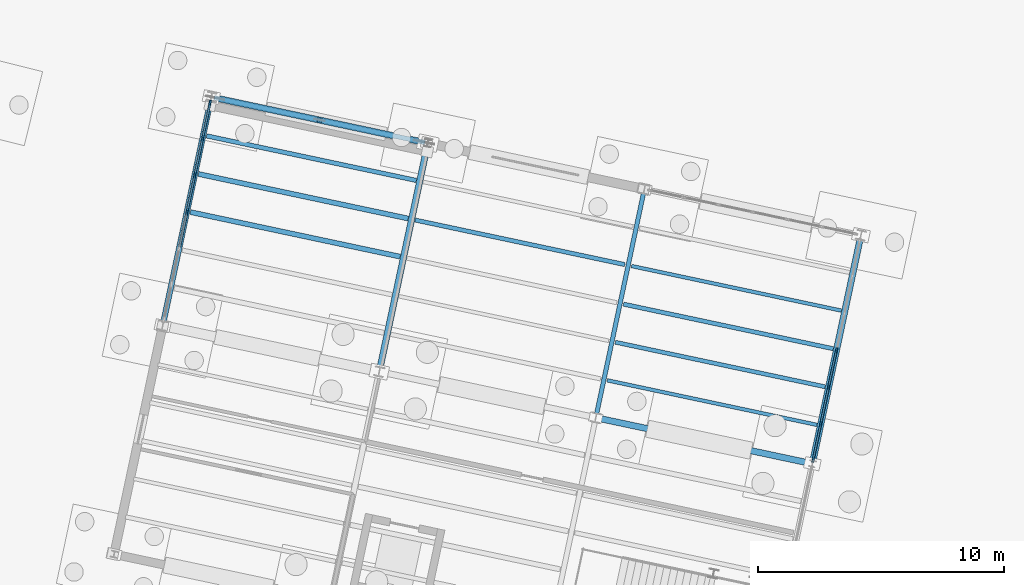
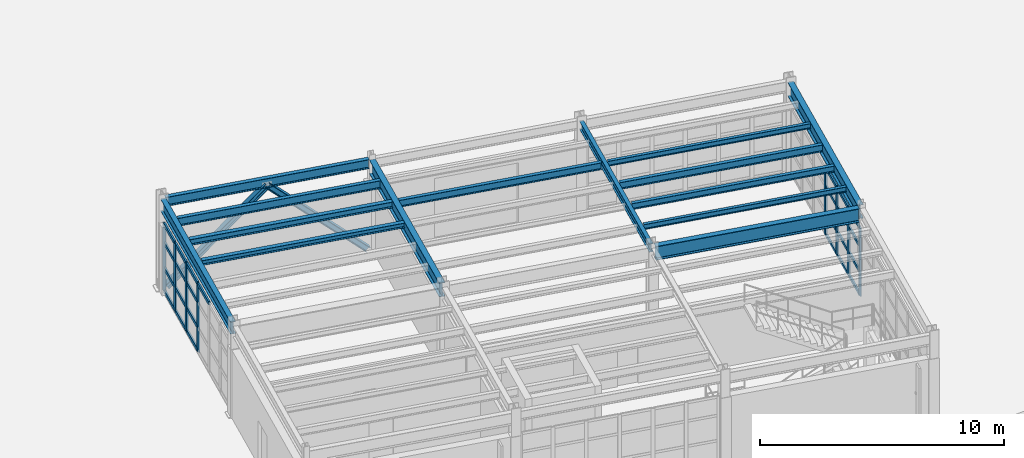
# One storey, part 55 of 108: 35 members, 14 beams, 2 elements without a shape of their own.
"""IFC4 building model written with IfcOpenShell, lengths in metres."""

from ifc_helpers import new_model, si_unit, direction, frame, origin, origin_2d, place, context, subcontext, project, spatial, rectangle, i_section, extrude, material, layer, layer_set, material_profile, profile_set, type_object, element, aggregate, save


model = new_model("IFC4")

# Units and contexts
model_context = context("Model", 3, precision=1e-05, world=origin(), true_north=direction((0.0, 1.0)))
body_context = subcontext(model_context, "Body", "Model", "MODEL_VIEW")
ifc_project = project(units=[si_unit("LENGTHUNIT", "METRE"), si_unit("AREAUNIT", "SQUARE_METRE"), si_unit("VOLUMEUNIT", "CUBIC_METRE"), si_unit("PLANEANGLEUNIT", "RADIAN"), si_unit("MASSUNIT", "GRAM", prefix="KILO")], contexts=[model_context])

# Site, building, storey
site_placement = place(None, origin())
site = spatial("IfcSite", under=ifc_project, at=site_placement, CompositionType="ELEMENT")
building_placement = place(site_placement, origin())
building = spatial("IfcBuilding", under=site, at=building_placement, Name="Vireo Bluff Cable Station", CompositionType="ELEMENT")
storey_placement = place(building_placement, origin())
storey = spatial("IfcBuildingStorey", under=building, at=storey_placement, Name="L00", CompositionType="ELEMENT", Elevation=0.0)

# Beam
ifc_material_1 = material(Name="Steel ASTM A992 Gr. 50", Category="steel")
ifc_material_profile_1 = material_profile(ifc_material_1, i_section(OverallWidth=0.178955078125, OverallDepth=0.408935546875, WebThickness=0.0087890625, FlangeThickness=0.014404296875, FilletRadius=0.010009765625, at=origin_2d()), Name="W16X45")
ifc_profile_set_1 = profile_set([ifc_material_profile_1], Name="Steel ASTM A992 Gr. 50")
beam_type_1 = type_object("IfcBeamType", Name="BM-W16X45", PredefinedType="BEAM", material=ifc_profile_set_1)
beam_1_placement = place(storey_placement, frame((149.606689453125, 15.66748046875, 4.33544921875), z_axis=(0.207915514037, 0.978146788076, 0.0), x_axis=(-0.978146788076, 0.207915514037, 0.0)))
element("IfcBeam", 1, at=beam_1_placement, inside=storey, type_object=beam_type_1, Name="V5E L00 beam 1297", PredefinedType="BEAM", context=body_context, shape_type="SweptSolid", body=[
    extrude(i_section(OverallWidth=0.178955078125, OverallDepth=0.408935546875, WebThickness=0.0087890625, FlangeThickness=0.014404296875, FilletRadius=0.010009765625, at=origin_2d()), origin(), (0.0, 0.0, 1.0), 9.260009765625),
])

# Members
ifc_material_profile_2 = material_profile(ifc_material_1, i_section(OverallWidth=0.2548828125, OverallDepth=0.256103515625, WebThickness=0.009521484375, FlangeThickness=0.015625, FilletRadius=0.009033203125, at=origin_2d()), Name="W10X54")
ifc_profile_set_2 = profile_set([ifc_material_profile_2], Name="Steel ASTM A992 Gr. 50")
member_type_1 = type_object("IfcMemberType", Name="BRC-02", PredefinedType="BRACE", material=ifc_profile_set_2)
member_1_placement = place(storey_placement, frame((134.10693359375, 28.551513671875, 0.0400390625), z_axis=(0.707775608155, -0.150445056806, 0.690231825827), x_axis=(0.207915270313, 0.978146839882, 0.0)))
element("IfcMember", 2, at=member_1_placement, inside=storey, type_object=member_type_1, Name="V5E L00 concentric brace 103L", PredefinedType="BRACE", context=body_context, shape_type="SweptSolid", body=[
    extrude(i_section(OverallWidth=0.2548828125, OverallDepth=0.256103515625, WebThickness=0.009521484375, FlangeThickness=0.015625, FilletRadius=0.009033203125, at=origin_2d()), origin(), (0.0, 0.0, 1.0), 5.997802734375),
])
ifc_material_profile_3 = material_profile(ifc_material_1, i_section(OverallWidth=0.257080078125, OverallDepth=0.263916015625, WebThickness=0.011962890625, FlangeThickness=0.01953125, FilletRadius=0.009033203125, at=origin_2d()), Name="W10X68")
ifc_profile_set_3 = profile_set([ifc_material_profile_3], Name="Steel ASTM A992 Gr. 50")
member_type_2 = type_object("IfcMemberType", Name="BRC-03", PredefinedType="BRACE", material=ifc_profile_set_3)
member_2_placement = place(storey_placement, frame((142.59716796875, 26.746826171875, 0.0400390625), z_axis=(-0.707775608155, 0.150445056806, 0.690231825827), x_axis=(-0.207915270313, -0.978146839882, 0.0)))
element("IfcMember", 3, at=member_2_placement, inside=storey, type_object=member_type_2, Name="V5E L00 concentric brace 104R", PredefinedType="BRACE", context=body_context, shape_type="SweptSolid", body=[
    extrude(i_section(OverallWidth=0.257080078125, OverallDepth=0.263916015625, WebThickness=0.011962890625, FlangeThickness=0.01953125, FilletRadius=0.009033203125, at=origin_2d()), origin(), (0.0, 0.0, 1.0), 5.997802734375),
])

# Curtain wall, members
ifc_material_2 = material(Name="Anodized Aluminium 6063-T6", Category="aluminium")
ifc_layer_1 = layer(ifc_material_2, 0.179931640625, Name="Anodized Aluminium 6063-T6")
ifc_layer_set_1 = layer_set([ifc_layer_1], Name="Anodized Aluminium 6063-T6")
curtain_wall_type_1 = type_object("IfcCurtainWallType", Name="CW-UNIT-1500", PredefinedType="USERDEFINED", material=ifc_layer_set_1)
curtain_wall_1_placement = place(storey_placement, origin())
curtain_wall_1 = element("IfcCurtainWall", 4, at=curtain_wall_1_placement, inside=storey, type_object=curtain_wall_type_1, Name="V5E L00 east curtain wall CW-133", ObjectType="UNITISED CURTAIN WALL", PredefinedType="USERDEFINED")
ifc_material_profile_4 = material_profile(ifc_material_2, rectangle(XDim=0.074951171875, YDim=0.2099609375, at=origin_2d()), Name="ALU-M-75X210")
ifc_profile_set_4 = profile_set([ifc_material_profile_4], Name="Anodized Aluminium 6063-T6")
member_type_3 = type_object("IfcMemberType", Name="CWM-02", PredefinedType="MULLION", material=ifc_profile_set_4)
member_3_placement = place(storey_placement, frame((159.365234375, 18.2900390625, 0.0), z_axis=(0.0, 0.0, 1.0), x_axis=(0.978147606906, -0.207911661778, 0.0)))
member_3 = element("IfcMember", 5, at=member_3_placement, type_object=member_type_3, Name="CW-133 mullion 4", PredefinedType="MULLION", context=body_context, shape_type="SweptSolid", body=[
    extrude(rectangle(XDim=0.074951171875, YDim=0.2099609375, at=origin_2d()), origin(), (0.0, 0.0, 1.0), 3.39990234375),
])
member_4_placement = place(storey_placement, frame((159.047607421875, 16.79541015625, 0.0), z_axis=(0.0, 0.0, 1.0), x_axis=(0.978147606906, -0.207911661778, 0.0)))
member_4 = element("IfcMember", 6, at=member_4_placement, type_object=member_type_3, Name="CW-133 mullion 5", PredefinedType="MULLION", context=body_context, shape_type="SweptSolid", body=[
    extrude(rectangle(XDim=0.074951171875, YDim=0.2099609375, at=origin_2d()), origin(), (0.0, 0.0, 1.0), 3.39990234375),
])
member_5_placement = place(storey_placement, frame((158.72998046875, 15.300537109375, 0.0), z_axis=(0.0, 0.0, 1.0), x_axis=(0.978147606906, -0.207911661778, 0.0)))
member_5 = element("IfcMember", 7, at=member_5_placement, type_object=member_type_3, Name="CW-133 mullion 6", PredefinedType="MULLION", context=body_context, shape_type="SweptSolid", body=[
    extrude(rectangle(XDim=0.074951171875, YDim=0.2099609375, at=origin_2d()), origin(), (0.0, 0.0, 1.0), 3.39990234375),
])
member_6_placement = place(storey_placement, frame((158.419921875, 13.842529296875, 0.0), z_axis=(0.0, 0.0, 1.0), x_axis=(0.978147606906, -0.207911661778, 0.0)))
member_6 = element("IfcMember", 8, at=member_6_placement, type_object=member_type_3, Name="CW-133 mullion 7", PredefinedType="MULLION", context=body_context, shape_type="SweptSolid", body=[
    extrude(rectangle(XDim=0.074951171875, YDim=0.2099609375, at=origin_2d()), origin(), (0.0, 0.0, 1.0), 3.39990234375),
])

ifc_layer_2 = layer(ifc_material_2, 0.179931640625, Name="Anodized Aluminium 6063-T6")
ifc_layer_set_2 = layer_set([ifc_layer_2], Name="Anodized Aluminium 6063-T6")
curtain_wall_type_2 = type_object("IfcCurtainWallType", Name="CW-UNIT-1650", PredefinedType="USERDEFINED", material=ifc_layer_set_2)
curtain_wall_2_placement = place(storey_placement, origin())
curtain_wall_2 = element("IfcCurtainWall", 9, at=curtain_wall_2_placement, inside=storey, type_object=curtain_wall_type_2, Name="V5E L00 west curtain wall CW-131", ObjectType="UNITISED CURTAIN WALL", PredefinedType="USERDEFINED")
ifc_material_profile_5 = material_profile(ifc_material_2, rectangle(XDim=0.080078125, YDim=0.239990234375, at=origin_2d()), Name="ALU-M-80X240")
ifc_profile_set_5 = profile_set([ifc_material_profile_5], Name="Anodized Aluminium 6063-T6")
member_type_4 = type_object("IfcMemberType", Name="CWM-04", PredefinedType="MULLION", material=ifc_profile_set_5)
member_7_placement = place(storey_placement, frame((132.9619140625, 23.93408203125, 0.0), z_axis=(0.0, 0.0, 1.0), x_axis=(-0.978147586458, 0.207911757979, 0.0)))
member_7 = element("IfcMember", 10, at=member_7_placement, type_object=member_type_4, Name="CW-131 mullion 4", PredefinedType="MULLION", context=body_context, shape_type="SweptSolid", body=[
    extrude(rectangle(XDim=0.080078125, YDim=0.239990234375, at=origin_2d()), origin(), (0.0, 0.0, 1.0), 3.39990234375),
])
member_8_placement = place(storey_placement, frame((133.276611328125, 25.415771484375, 0.0), z_axis=(0.0, 0.0, 1.0), x_axis=(-0.978147586458, 0.207911757979, 0.0)))
member_8 = element("IfcMember", 11, at=member_8_placement, type_object=member_type_4, Name="CW-131 mullion 5", PredefinedType="MULLION", context=body_context, shape_type="SweptSolid", body=[
    extrude(rectangle(XDim=0.080078125, YDim=0.239990234375, at=origin_2d()), origin(), (0.0, 0.0, 1.0), 3.39990234375),
])
member_9_placement = place(storey_placement, frame((133.591552734375, 26.897216796875, 0.0), z_axis=(0.0, 0.0, 1.0), x_axis=(-0.978147586458, 0.207911757979, 0.0)))
member_9 = element("IfcMember", 12, at=member_9_placement, type_object=member_type_4, Name="CW-131 mullion 6", PredefinedType="MULLION", context=body_context, shape_type="SweptSolid", body=[
    extrude(rectangle(XDim=0.080078125, YDim=0.239990234375, at=origin_2d()), origin(), (0.0, 0.0, 1.0), 3.39990234375),
])
member_10_placement = place(storey_placement, frame((133.898193359375, 28.33984375, 0.0), z_axis=(0.0, 0.0, 1.0), x_axis=(-0.978147586458, 0.207911757979, 0.0)))
member_10 = element("IfcMember", 13, at=member_10_placement, type_object=member_type_4, Name="CW-131 mullion 7", PredefinedType="MULLION", context=body_context, shape_type="SweptSolid", body=[
    extrude(rectangle(XDim=0.080078125, YDim=0.239990234375, at=origin_2d()), origin(), (0.0, 0.0, 1.0), 3.39990234375),
])

# Member
ifc_material_profile_6 = material_profile(ifc_material_2, rectangle(XDim=0.074951171875, YDim=0.159912109375, at=origin_2d()), Name="ALU-T-75X160")
ifc_profile_set_6 = profile_set([ifc_material_profile_6], Name="Anodized Aluminium 6063-T6")
member_type_5 = type_object("IfcMemberType", Name="CWT-02", PredefinedType="USERDEFINED", material=ifc_profile_set_6)
member_11_placement = place(storey_placement, frame((159.357421875, 18.25341796875, 0.03759765625), z_axis=(-0.207830623989, -0.978164828509, 0.0), x_axis=(0.978164828509, -0.207830623989, 0.0)))
member_11 = element("IfcMember", 14, at=member_11_placement, type_object=member_type_5, Name="CW-133 transom 4.1", ObjectType="TRANSOM", PredefinedType="USERDEFINED", context=body_context, shape_type="SweptSolid", body=[
    extrude(rectangle(XDim=0.074951171875, YDim=0.159912109375, at=origin_2d()), origin(), (0.0, 0.0, 1.0), 1.453125),
])

member_12_placement = place(storey_placement, frame((159.357421875, 18.25341796875, 1.18994140625), z_axis=(-0.207830623989, -0.978164828509, 0.0), x_axis=(0.978164828509, -0.207830623989, 0.0)))
member_12 = element("IfcMember", 15, at=member_12_placement, type_object=member_type_5, Name="CW-133 transom 4.2", ObjectType="TRANSOM", PredefinedType="USERDEFINED", context=body_context, shape_type="SweptSolid", body=[
    extrude(rectangle(XDim=0.074951171875, YDim=0.159912109375, at=origin_2d()), origin(), (0.0, 0.0, 1.0), 1.453125),
])

member_13_placement = place(storey_placement, frame((159.357421875, 18.25341796875, 2.447998046875), z_axis=(-0.207830623989, -0.978164828509, 0.0), x_axis=(0.978164828509, -0.207830623989, 0.0)))
member_13 = element("IfcMember", 16, at=member_13_placement, type_object=member_type_5, Name="CW-133 transom 4.3", ObjectType="TRANSOM", PredefinedType="USERDEFINED", context=body_context, shape_type="SweptSolid", body=[
    extrude(rectangle(XDim=0.074951171875, YDim=0.159912109375, at=origin_2d()), origin(), (0.0, 0.0, 1.0), 1.453125),
])

member_14_placement = place(storey_placement, frame((159.357421875, 18.25341796875, 3.362548828125), z_axis=(-0.207830623989, -0.978164828509, 0.0), x_axis=(0.978164828509, -0.207830623989, 0.0)))
member_14 = element("IfcMember", 17, at=member_14_placement, type_object=member_type_5, Name="CW-133 transom 4.4", ObjectType="TRANSOM", PredefinedType="USERDEFINED", context=body_context, shape_type="SweptSolid", body=[
    extrude(rectangle(XDim=0.074951171875, YDim=0.159912109375, at=origin_2d()), origin(), (0.0, 0.0, 1.0), 1.453125),
])

member_15_placement = place(storey_placement, frame((159.039794921875, 16.758544921875, 0.03759765625), z_axis=(-0.207864785038, -0.97815756969, 0.0), x_axis=(0.97815756969, -0.207864785038, 0.0)))
member_15 = element("IfcMember", 18, at=member_15_placement, type_object=member_type_5, Name="CW-133 transom 5.1", ObjectType="TRANSOM", PredefinedType="USERDEFINED", context=body_context, shape_type="SweptSolid", body=[
    extrude(rectangle(XDim=0.074951171875, YDim=0.159912109375, at=origin_2d()), origin(), (0.0, 0.0, 1.0), 1.452880859375),
])

member_16_placement = place(storey_placement, frame((159.039794921875, 16.758544921875, 1.18994140625), z_axis=(-0.207864785038, -0.97815756969, 0.0), x_axis=(0.97815756969, -0.207864785038, 0.0)))
member_16 = element("IfcMember", 19, at=member_16_placement, type_object=member_type_5, Name="CW-133 transom 5.2", ObjectType="TRANSOM", PredefinedType="USERDEFINED", context=body_context, shape_type="SweptSolid", body=[
    extrude(rectangle(XDim=0.074951171875, YDim=0.159912109375, at=origin_2d()), origin(), (0.0, 0.0, 1.0), 1.452880859375),
])

member_17_placement = place(storey_placement, frame((159.039794921875, 16.758544921875, 2.447998046875), z_axis=(-0.207864785038, -0.97815756969, 0.0), x_axis=(0.97815756969, -0.207864785038, 0.0)))
member_17 = element("IfcMember", 20, at=member_17_placement, type_object=member_type_5, Name="CW-133 transom 5.3", ObjectType="TRANSOM", PredefinedType="USERDEFINED", context=body_context, shape_type="SweptSolid", body=[
    extrude(rectangle(XDim=0.074951171875, YDim=0.159912109375, at=origin_2d()), origin(), (0.0, 0.0, 1.0), 1.452880859375),
])

member_18_placement = place(storey_placement, frame((159.039794921875, 16.758544921875, 3.362548828125), z_axis=(-0.207864785038, -0.97815756969, 0.0), x_axis=(0.97815756969, -0.207864785038, 0.0)))
member_18 = element("IfcMember", 21, at=member_18_placement, type_object=member_type_5, Name="CW-133 transom 5.4", ObjectType="TRANSOM", PredefinedType="USERDEFINED", context=body_context, shape_type="SweptSolid", body=[
    extrude(rectangle(XDim=0.074951171875, YDim=0.159912109375, at=origin_2d()), origin(), (0.0, 0.0, 1.0), 1.452880859375),
])

member_19_placement = place(storey_placement, frame((158.72216796875, 15.263916015625, 0.03759765625), z_axis=(-0.208009340252, -0.978126839611, 0.0), x_axis=(0.978126839611, -0.208009340252, 0.0)))
member_19 = element("IfcMember", 22, at=member_19_placement, type_object=member_type_5, Name="CW-133 transom 6.1", ObjectType="TRANSOM", PredefinedType="USERDEFINED", context=body_context, shape_type="SweptSolid", body=[
    extrude(rectangle(XDim=0.074951171875, YDim=0.159912109375, at=origin_2d()), origin(), (0.0, 0.0, 1.0), 1.41552734375),
])

member_20_placement = place(storey_placement, frame((158.72216796875, 15.263916015625, 1.18994140625), z_axis=(-0.208009340252, -0.978126839611, 0.0), x_axis=(0.978126839611, -0.208009340252, 0.0)))
member_20 = element("IfcMember", 23, at=member_20_placement, type_object=member_type_5, Name="CW-133 transom 6.2", ObjectType="TRANSOM", PredefinedType="USERDEFINED", context=body_context, shape_type="SweptSolid", body=[
    extrude(rectangle(XDim=0.074951171875, YDim=0.159912109375, at=origin_2d()), origin(), (0.0, 0.0, 1.0), 1.41552734375),
])

member_21_placement = place(storey_placement, frame((158.72216796875, 15.263916015625, 2.447998046875), z_axis=(-0.208009340252, -0.978126839611, 0.0), x_axis=(0.978126839611, -0.208009340252, 0.0)))
member_21 = element("IfcMember", 24, at=member_21_placement, type_object=member_type_5, Name="CW-133 transom 6.3", ObjectType="TRANSOM", PredefinedType="USERDEFINED", context=body_context, shape_type="SweptSolid", body=[
    extrude(rectangle(XDim=0.074951171875, YDim=0.159912109375, at=origin_2d()), origin(), (0.0, 0.0, 1.0), 1.41552734375),
])

member_22_placement = place(storey_placement, frame((158.72216796875, 15.263916015625, 3.362548828125), z_axis=(-0.208009340252, -0.978126839611, 0.0), x_axis=(0.978126839611, -0.208009340252, 0.0)))
member_22 = element("IfcMember", 25, at=member_22_placement, type_object=member_type_5, Name="CW-133 transom 6.4", ObjectType="TRANSOM", PredefinedType="USERDEFINED", context=body_context, shape_type="SweptSolid", body=[
    extrude(rectangle(XDim=0.074951171875, YDim=0.159912109375, at=origin_2d()), origin(), (0.0, 0.0, 1.0), 1.41552734375),
])

aggregate(curtain_wall_1, [member_3, member_4, member_5, member_6, member_11, member_12, member_13, member_14, member_15, member_16, member_17, member_18, member_19, member_20, member_21, member_22])

ifc_material_profile_7 = material_profile(ifc_material_2, rectangle(XDim=0.080078125, YDim=0.175048828125, at=origin_2d()), Name="ALU-T-80X175")
ifc_profile_set_7 = profile_set([ifc_material_profile_7], Name="Anodized Aluminium 6063-T6")
member_type_6 = type_object("IfcMemberType", Name="CWT-04", PredefinedType="USERDEFINED", material=ifc_profile_set_7)
member_23_placement = place(storey_placement, frame((132.6552734375, 22.49169921875, 3.360107421875), z_axis=(0.207785484454, 0.978174418215, 0.0), x_axis=(-0.978174418215, 0.207785484454, 0.0)))
member_23 = element("IfcMember", 26, at=member_23_placement, type_object=member_type_6, Name="CW-131 transom 3.4", ObjectType="TRANSOM", PredefinedType="USERDEFINED", context=body_context, shape_type="SweptSolid", body=[
    extrude(rectangle(XDim=0.080078125, YDim=0.175048828125, at=origin_2d()), origin(), (0.0, 0.0, 1.0), 1.4345703125),
])

member_24_placement = place(storey_placement, frame((132.97021484375, 23.973388671875, 0.0400390625), z_axis=(0.207785484454, 0.978174418215, 0.0), x_axis=(-0.978174418215, 0.207785484454, 0.0)))
member_24 = element("IfcMember", 27, at=member_24_placement, type_object=member_type_6, Name="CW-131 transom 4.1", ObjectType="TRANSOM", PredefinedType="USERDEFINED", context=body_context, shape_type="SweptSolid", body=[
    extrude(rectangle(XDim=0.080078125, YDim=0.175048828125, at=origin_2d()), origin(), (0.0, 0.0, 1.0), 1.4345703125),
])

member_25_placement = place(storey_placement, frame((132.97021484375, 23.973388671875, 1.18994140625), z_axis=(0.207785484454, 0.978174418215, 0.0), x_axis=(-0.978174418215, 0.207785484454, 0.0)))
member_25 = element("IfcMember", 28, at=member_25_placement, type_object=member_type_6, Name="CW-131 transom 4.2", ObjectType="TRANSOM", PredefinedType="USERDEFINED", context=body_context, shape_type="SweptSolid", body=[
    extrude(rectangle(XDim=0.080078125, YDim=0.175048828125, at=origin_2d()), origin(), (0.0, 0.0, 1.0), 1.4345703125),
])

member_26_placement = place(storey_placement, frame((132.97021484375, 23.973388671875, 2.447998046875), z_axis=(0.207785484454, 0.978174418215, 0.0), x_axis=(-0.978174418215, 0.207785484454, 0.0)))
member_26 = element("IfcMember", 29, at=member_26_placement, type_object=member_type_6, Name="CW-131 transom 4.3", ObjectType="TRANSOM", PredefinedType="USERDEFINED", context=body_context, shape_type="SweptSolid", body=[
    extrude(rectangle(XDim=0.080078125, YDim=0.175048828125, at=origin_2d()), origin(), (0.0, 0.0, 1.0), 1.4345703125),
])

member_27_placement = place(storey_placement, frame((132.97021484375, 23.973388671875, 3.360107421875), z_axis=(0.207785484454, 0.978174418215, 0.0), x_axis=(-0.978174418215, 0.207785484454, 0.0)))
member_27 = element("IfcMember", 30, at=member_27_placement, type_object=member_type_6, Name="CW-131 transom 4.4", ObjectType="TRANSOM", PredefinedType="USERDEFINED", context=body_context, shape_type="SweptSolid", body=[
    extrude(rectangle(XDim=0.080078125, YDim=0.175048828125, at=origin_2d()), origin(), (0.0, 0.0, 1.0), 1.4345703125),
])

member_28_placement = place(storey_placement, frame((133.28515625, 25.454833984375, 0.0400390625), z_axis=(0.207785484454, 0.978174418215, 0.0), x_axis=(-0.978174418215, 0.207785484454, 0.0)))
member_28 = element("IfcMember", 31, at=member_28_placement, type_object=member_type_6, Name="CW-131 transom 5.1", ObjectType="TRANSOM", PredefinedType="USERDEFINED", context=body_context, shape_type="SweptSolid", body=[
    extrude(rectangle(XDim=0.080078125, YDim=0.175048828125, at=origin_2d()), origin(), (0.0, 0.0, 1.0), 1.4345703125),
])

member_29_placement = place(storey_placement, frame((133.28515625, 25.454833984375, 1.18994140625), z_axis=(0.207785484454, 0.978174418215, 0.0), x_axis=(-0.978174418215, 0.207785484454, 0.0)))
member_29 = element("IfcMember", 32, at=member_29_placement, type_object=member_type_6, Name="CW-131 transom 5.2", ObjectType="TRANSOM", PredefinedType="USERDEFINED", context=body_context, shape_type="SweptSolid", body=[
    extrude(rectangle(XDim=0.080078125, YDim=0.175048828125, at=origin_2d()), origin(), (0.0, 0.0, 1.0), 1.4345703125),
])

member_30_placement = place(storey_placement, frame((133.28515625, 25.454833984375, 2.447998046875), z_axis=(0.207785484454, 0.978174418215, 0.0), x_axis=(-0.978174418215, 0.207785484454, 0.0)))
member_30 = element("IfcMember", 33, at=member_30_placement, type_object=member_type_6, Name="CW-131 transom 5.3", ObjectType="TRANSOM", PredefinedType="USERDEFINED", context=body_context, shape_type="SweptSolid", body=[
    extrude(rectangle(XDim=0.080078125, YDim=0.175048828125, at=origin_2d()), origin(), (0.0, 0.0, 1.0), 1.4345703125),
])

member_31_placement = place(storey_placement, frame((133.28515625, 25.454833984375, 3.360107421875), z_axis=(0.207785484454, 0.978174418215, 0.0), x_axis=(-0.978174418215, 0.207785484454, 0.0)))
member_31 = element("IfcMember", 34, at=member_31_placement, type_object=member_type_6, Name="CW-131 transom 5.4", ObjectType="TRANSOM", PredefinedType="USERDEFINED", context=body_context, shape_type="SweptSolid", body=[
    extrude(rectangle(XDim=0.080078125, YDim=0.175048828125, at=origin_2d()), origin(), (0.0, 0.0, 1.0), 1.4345703125),
])

member_32_placement = place(storey_placement, frame((133.599853515625, 26.9365234375, 0.0400390625), z_axis=(0.207986479453, 0.97813170093, 0.0), x_axis=(-0.97813170093, 0.207986479453, 0.0)))
member_32 = element("IfcMember", 35, at=member_32_placement, type_object=member_type_6, Name="CW-131 transom 6.1", ObjectType="TRANSOM", PredefinedType="USERDEFINED", context=body_context, shape_type="SweptSolid", body=[
    extrude(rectangle(XDim=0.080078125, YDim=0.175048828125, at=origin_2d()), origin(), (0.0, 0.0, 1.0), 1.39453125),
])

member_33_placement = place(storey_placement, frame((133.599853515625, 26.9365234375, 1.18994140625), z_axis=(0.207986479453, 0.97813170093, 0.0), x_axis=(-0.97813170093, 0.207986479453, 0.0)))
member_33 = element("IfcMember", 36, at=member_33_placement, type_object=member_type_6, Name="CW-131 transom 6.2", ObjectType="TRANSOM", PredefinedType="USERDEFINED", context=body_context, shape_type="SweptSolid", body=[
    extrude(rectangle(XDim=0.080078125, YDim=0.175048828125, at=origin_2d()), origin(), (0.0, 0.0, 1.0), 1.39453125),
])

member_34_placement = place(storey_placement, frame((133.599853515625, 26.9365234375, 2.447998046875), z_axis=(0.207986479453, 0.97813170093, 0.0), x_axis=(-0.97813170093, 0.207986479453, 0.0)))
member_34 = element("IfcMember", 37, at=member_34_placement, type_object=member_type_6, Name="CW-131 transom 6.3", ObjectType="TRANSOM", PredefinedType="USERDEFINED", context=body_context, shape_type="SweptSolid", body=[
    extrude(rectangle(XDim=0.080078125, YDim=0.175048828125, at=origin_2d()), origin(), (0.0, 0.0, 1.0), 1.39453125),
])

member_35_placement = place(storey_placement, frame((133.599853515625, 26.9365234375, 3.360107421875), z_axis=(0.207986479453, 0.97813170093, 0.0), x_axis=(-0.97813170093, 0.207986479453, 0.0)))
member_35 = element("IfcMember", 38, at=member_35_placement, type_object=member_type_6, Name="CW-131 transom 6.4", ObjectType="TRANSOM", PredefinedType="USERDEFINED", context=body_context, shape_type="SweptSolid", body=[
    extrude(rectangle(XDim=0.080078125, YDim=0.175048828125, at=origin_2d()), origin(), (0.0, 0.0, 1.0), 1.39453125),
])

aggregate(curtain_wall_2, [member_7, member_8, member_9, member_10, member_23, member_24, member_25, member_26, member_27, member_28, member_29, member_30, member_31, member_32, member_33, member_34, member_35])

# Beams
ifc_material_profile_8 = material_profile(ifc_material_1, i_section(OverallWidth=0.257080078125, OverallDepth=0.693115234375, WebThickness=0.014404296875, FlangeThickness=0.023681640625, FilletRadius=0.014892578125, at=origin_2d()), Name="W27X114")
ifc_profile_set_8 = profile_set([ifc_material_profile_8], Name="Steel ASTM A992 Gr. 50")
beam_type_2 = type_object("IfcBeamType", Name="GIR-W27X114", PredefinedType="USERDEFINED", material=ifc_profile_set_8)
beam_2_placement = place(storey_placement, frame((149.69921875, 15.525146484375, 4.193603515625), z_axis=(0.978148154167, -0.207909087104, 0.0), x_axis=(0.207909087104, 0.978148154167, 0.0)))
element("IfcBeam", 39, at=beam_2_placement, inside=storey, type_object=beam_type_2, Name="V5E L00 girder 1291", ObjectType="GIRDER", PredefinedType="USERDEFINED", context=body_context, shape_type="SweptSolid", body=[
    extrude(i_section(OverallWidth=0.257080078125, OverallDepth=0.693115234375, WebThickness=0.014404296875, FlangeThickness=0.023681640625, FilletRadius=0.014892578125, at=origin_2d()), origin(), (0.0, 0.0, 1.0), 8.760009765625),
])
ifc_material_profile_9 = material_profile(ifc_material_1, i_section(OverallWidth=0.14599609375, OverallDepth=0.259033203125, WebThickness=0.006103515625, FlangeThickness=0.009033203125, FilletRadius=0.009033203125, at=origin_2d()), Name="W10X22")
ifc_profile_set_9 = profile_set([ifc_material_profile_9], Name="Steel ASTM A992 Gr. 50")
beam_type_3 = type_object("IfcBeamType", Name="JST-W10X22", PredefinedType="JOIST", material=ifc_profile_set_9)
for number, where, z_axis, x_axis, name in (
    (40, (150.0478515625, 17.069580078125, 4.410400390625), (0.978148105174, -0.207909317601, 0.0), (0.207909317601, 0.978148105174, 0.0), "V5E L00 composite joist 1313"),
    (41, (151.03564453125, 21.7158203125, 4.410400390625), (0.978146894897, -0.207915011493, 0.0), (0.207915011493, 0.978146894897, 0.0), "V5E L00 composite joist 1316"),
):
    element("IfcBeam", number, at=place(storey_placement, frame(where, z_axis=z_axis, x_axis=x_axis)), inside=storey, type_object=beam_type_3, Name=name, PredefinedType="JOIST", context=body_context, shape_type="SweptSolid", body=[
        extrude(i_section(OverallWidth=0.14599609375, OverallDepth=0.259033203125, WebThickness=0.006103515625, FlangeThickness=0.009033203125, FilletRadius=0.009033203125, at=origin_2d()), origin(), (0.0, 0.0, 1.0), 8.719970703125),
    ])
ifc_material_profile_10 = material_profile(ifc_material_1, i_section(OverallWidth=0.201904296875, OverallDepth=0.2470703125, WebThickness=0.00732421875, FlangeThickness=0.010986328125, FilletRadius=0.009033203125, at=origin_2d()), Name="W10X33")
ifc_profile_set_10 = profile_set([ifc_material_profile_10], Name="Steel ASTM A992 Gr. 50")
beam_type_4 = type_object("IfcBeamType", Name="JST-W10X33", PredefinedType="JOIST", material=ifc_profile_set_10)
beam_3_placement = place(storey_placement, frame((133.099609375, 23.909423828125, 4.41650390625), z_axis=(0.978148105174, -0.207909317601, 0.0), x_axis=(0.207909317601, 0.978148105174, 0.0)))
element("IfcBeam", 42, at=beam_3_placement, inside=storey, type_object=beam_type_4, Name="V5E L00 composite joist 1330", PredefinedType="JOIST", context=body_context, shape_type="SweptSolid", body=[
    extrude(i_section(OverallWidth=0.201904296875, OverallDepth=0.2470703125, WebThickness=0.00732421875, FlangeThickness=0.010986328125, FilletRadius=0.009033203125, at=origin_2d()), origin(), (0.0, 0.0, 1.0), 8.719970703125),
])
ifc_material_profile_11 = material_profile(ifc_material_1, i_section(OverallWidth=0.1650390625, OverallDepth=0.31005859375, WebThickness=0.005859375, FlangeThickness=0.009765625, FilletRadius=0.010009765625, at=origin_2d()), Name="W12X26")
ifc_profile_set_11 = profile_set([ifc_material_profile_11], Name="Steel ASTM A992 Gr. 50")
beam_type_5 = type_object("IfcBeamType", Name="JST-W12X26", PredefinedType="JOIST", material=ifc_profile_set_11)
beam_4_placement = place(storey_placement, frame((150.377197265625, 18.618408203125, 4.385009765625), z_axis=(0.978146894897, -0.207915011493, 0.0), x_axis=(0.207915011493, 0.978146894897, 0.0)))
element("IfcBeam", 43, at=beam_4_placement, inside=storey, type_object=beam_type_5, Name="V5E L00 composite joist 1314", PredefinedType="JOIST", context=body_context, shape_type="SweptSolid", body=[
    extrude(i_section(OverallWidth=0.1650390625, OverallDepth=0.31005859375, WebThickness=0.005859375, FlangeThickness=0.009765625, FilletRadius=0.010009765625, at=origin_2d()), origin(), (0.0, 0.0, 1.0), 8.719970703125),
])
ifc_material_profile_12 = material_profile(ifc_material_1, i_section(OverallWidth=0.202880859375, OverallDepth=0.302978515625, WebThickness=0.007568359375, FlangeThickness=0.01318359375, FilletRadius=0.010009765625, at=origin_2d()), Name="W12X40")
ifc_profile_set_12 = profile_set([ifc_material_profile_12], Name="Steel ASTM A992 Gr. 50")
beam_type_6 = type_object("IfcBeamType", Name="JST-W12X40", PredefinedType="JOIST", material=ifc_profile_set_12)
beam_5_placement = place(storey_placement, frame((133.428955078125, 25.458251953125, 4.388427734375), z_axis=(0.978146894897, -0.207915011493, 0.0), x_axis=(0.207915011493, 0.978146894897, 0.0)))
element("IfcBeam", 44, at=beam_5_placement, inside=storey, type_object=beam_type_6, Name="V5E L00 composite joist 1331", PredefinedType="JOIST", context=body_context, shape_type="SweptSolid", body=[
    extrude(i_section(OverallWidth=0.202880859375, OverallDepth=0.302978515625, WebThickness=0.007568359375, FlangeThickness=0.01318359375, FilletRadius=0.010009765625, at=origin_2d()), origin(), (0.0, 0.0, 1.0), 8.719970703125),
])
ifc_material_profile_13 = material_profile(ifc_material_1, i_section(OverallWidth=0.1708984375, OverallDepth=0.35107421875, WebThickness=0.0068359375, FlangeThickness=0.009765625, FilletRadius=0.010009765625, at=origin_2d()), Name="W14X30")
ifc_profile_set_13 = profile_set([ifc_material_profile_13], Name="Steel ASTM A992 Gr. 50")
beam_type_7 = type_object("IfcBeamType", Name="JST-W14X30", PredefinedType="JOIST", material=ifc_profile_set_13)
for number, where, z_axis, x_axis, name in (
    (45, (142.232177734375, 23.5869140625, 4.364501953125), (0.978148105174, -0.207909317601, 0.0), (0.207909317601, 0.978148105174, 0.0), "V5E L00 composite joist 1308"),
    (46, (150.706298828125, 20.1669921875, 4.364501953125), (0.978148105174, -0.207909317601, 0.0), (0.207909317601, 0.978148105174, 0.0), "V5E L00 composite joist 1315"),
):
    element("IfcBeam", number, at=place(storey_placement, frame(where, z_axis=z_axis, x_axis=x_axis)), inside=storey, type_object=beam_type_7, Name=name, PredefinedType="JOIST", context=body_context, shape_type="SweptSolid", body=[
        extrude(i_section(OverallWidth=0.1708984375, OverallDepth=0.35107421875, WebThickness=0.0068359375, FlangeThickness=0.009765625, FilletRadius=0.010009765625, at=origin_2d()), origin(), (0.0, 0.0, 1.0), 8.719970703125),
    ])
ifc_material_profile_14 = material_profile(ifc_material_1, i_section(OverallWidth=0.177978515625, OverallDepth=0.404052734375, WebThickness=0.007568359375, FlangeThickness=0.010986328125, FilletRadius=0.010009765625, at=origin_2d()), Name="W16X36")
ifc_profile_set_14 = profile_set([ifc_material_profile_14], Name="Steel ASTM A992 Gr. 50")
beam_type_8 = type_object("IfcBeamType", Name="JST-W16X36", PredefinedType="JOIST", material=ifc_profile_set_14)
beam_6_placement = place(storey_placement, frame((133.758056640625, 27.007080078125, 4.337890625), z_axis=(0.978148105174, -0.207909317601, 0.0), x_axis=(0.207909317601, 0.978148105174, 0.0)))
element("IfcBeam", 47, at=beam_6_placement, inside=storey, type_object=beam_type_8, Name="V5E L00 composite joist 1332", PredefinedType="JOIST", context=body_context, shape_type="SweptSolid", body=[
    extrude(i_section(OverallWidth=0.177978515625, OverallDepth=0.404052734375, WebThickness=0.007568359375, FlangeThickness=0.010986328125, FilletRadius=0.010009765625, at=origin_2d()), origin(), (0.0, 0.0, 1.0), 8.719970703125),
])
ifc_material_profile_15 = material_profile(ifc_material_1, i_section(OverallWidth=0.19091796875, OverallDepth=0.45703125, WebThickness=0.009033203125, FlangeThickness=0.014404296875, FilletRadius=0.011962890625, at=origin_2d()), Name="W18X50")
ifc_profile_set_15 = profile_set([ifc_material_profile_15], Name="Steel ASTM A992 Gr. 50")
beam_type_9 = type_object("IfcBeamType", Name="SPN-W18X50", PredefinedType="SPANDREL", material=ifc_profile_set_15)
beam_7_placement = place(storey_placement, frame((134.067626953125, 28.559814453125, 4.3115234375), z_axis=(0.978148154167, -0.207909087104, 0.0), x_axis=(0.207909087104, 0.978148154167, 0.0)))
element("IfcBeam", 48, at=beam_7_placement, inside=storey, type_object=beam_type_9, Name="V5E L00 spandrel 1320", PredefinedType="SPANDREL", context=body_context, shape_type="SweptSolid", body=[
    extrude(i_section(OverallWidth=0.19091796875, OverallDepth=0.45703125, WebThickness=0.009033203125, FlangeThickness=0.014404296875, FilletRadius=0.011962890625, at=origin_2d()), origin(), (0.0, 0.0, 1.0), 8.760009765625),
])
ifc_material_profile_16 = material_profile(ifc_material_1, i_section(OverallWidth=0.22802734375, OverallDepth=0.60693359375, WebThickness=0.01123046875, FlangeThickness=0.017333984375, FilletRadius=0.012939453125, at=origin_2d()), Name="W24X76")
ifc_profile_set_16 = profile_set([ifc_material_profile_16], Name="Steel ASTM A992 Gr. 50")
beam_type_10 = type_object("IfcBeamType", Name="SPN-W24X76", PredefinedType="SPANDREL", material=ifc_profile_set_16)
beam_8_placement = place(storey_placement, frame((132.0, 19.40966796875, 4.236572265625), z_axis=(0.207910152243, 0.978147927767, 0.0), x_axis=(-0.978147927767, 0.207910152243, 0.0)))
element("IfcBeam", 49, at=beam_8_placement, inside=storey, type_object=beam_type_10, Name="V5E L00 spandrel 1322", PredefinedType="SPANDREL", context=body_context, shape_type="SweptSolid", body=[
    extrude(i_section(OverallWidth=0.22802734375, OverallDepth=0.60693359375, WebThickness=0.01123046875, FlangeThickness=0.017333984375, FilletRadius=0.012939453125, at=origin_2d()), origin(), (0.0, 0.0, 1.0), 9.26025390625),
])
ifc_material_profile_17 = material_profile(ifc_material_1, i_section(OverallWidth=0.257080078125, OverallDepth=0.693115234375, WebThickness=0.014404296875, FlangeThickness=0.023681640625, FilletRadius=0.014892578125, at=origin_2d()), Name="W27X114")
ifc_profile_set_17 = profile_set([ifc_material_profile_17], Name="Steel ASTM A992 Gr. 50")
beam_type_11 = type_object("IfcBeamType", Name="SPN-W27X114", PredefinedType="SPANDREL", material=ifc_profile_set_17)
for number, where, z_axis, x_axis, name in (
    (50, (140.803466796875, 17.53857421875, 4.193603515625), (0.207915514037, 0.978146788076, 0.0), (-0.978146788076, 0.207915514037, 0.0), "V5E L00 spandrel 1295"),
    (51, (158.41015625, 13.796142578125, 4.193603515625), (0.207915514037, 0.978146788076, 0.0), (-0.978146788076, 0.207915514037, 0.0), "V5E L00 spandrel 1299"),
):
    element("IfcBeam", number, at=place(storey_placement, frame(where, z_axis=z_axis, x_axis=x_axis)), inside=storey, type_object=beam_type_11, Name=name, PredefinedType="SPANDREL", context=body_context, shape_type="SweptSolid", body=[
        extrude(i_section(OverallWidth=0.257080078125, OverallDepth=0.693115234375, WebThickness=0.014404296875, FlangeThickness=0.023681640625, FilletRadius=0.014892578125, at=origin_2d()), origin(), (0.0, 0.0, 1.0), 9.260009765625),
    ])

save(model, "model.ifc")
